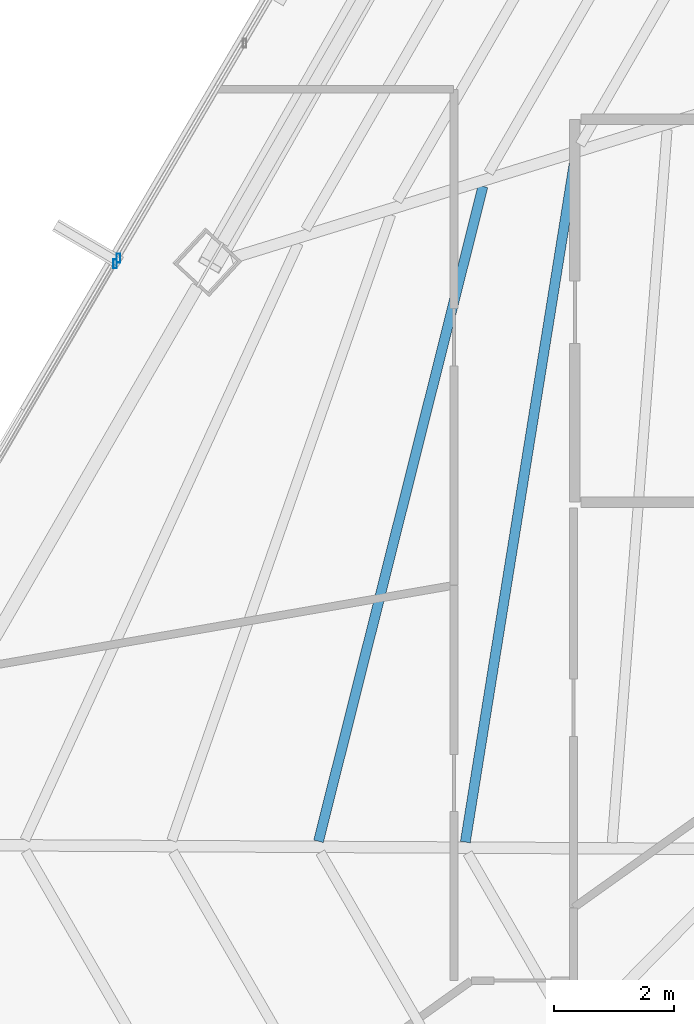
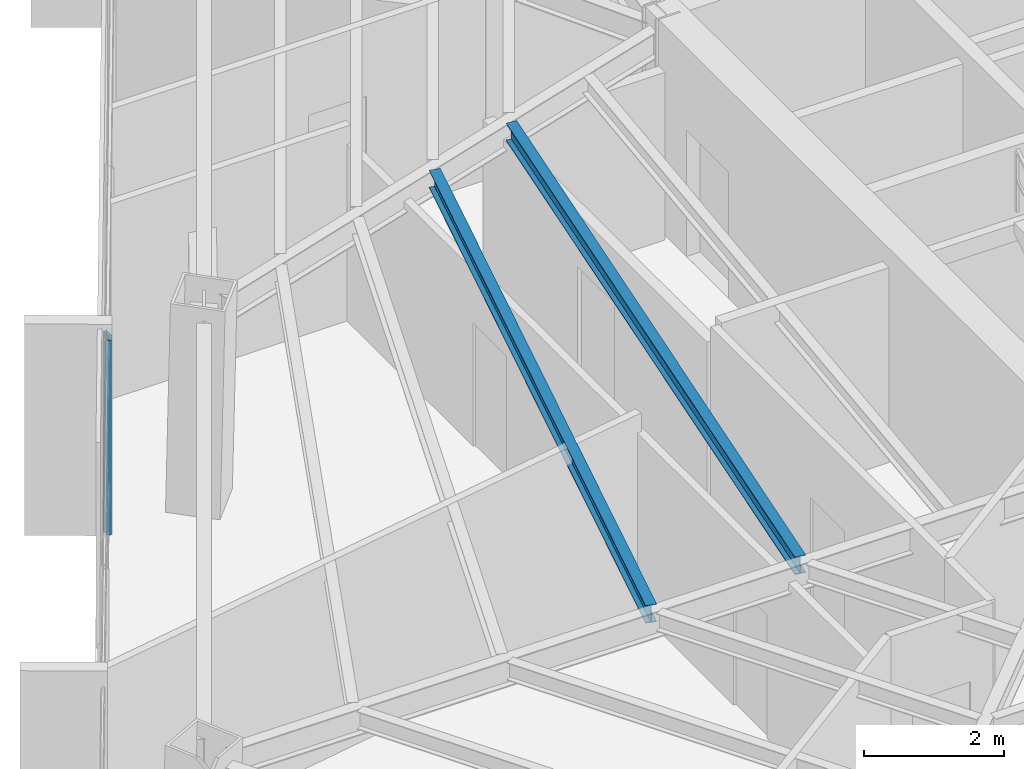
# One storey, part 14 of 42: 2 beams, 2 members, 2 elements without a shape of their own.
"""IFC4 building model written with IfcOpenShell, lengths in metres."""

from ifc_helpers import new_model, si_unit, direction, frame, origin, origin_2d, place, context, subcontext, project, spatial, hollow_rectangle, i_section, extrude, source, transform, mapped, material, material_profile, profile_set, type_object, type_shapes, element, aggregate, save


model = new_model("IFC4")

# Units and contexts
model_context = context("Model", 3, precision=1e-05, world=origin(), true_north=direction((0.0, 1.0)))
body_context = subcontext(model_context, "Body", "Model", "MODEL_VIEW")
ifc_project = project(units=[si_unit("LENGTHUNIT", "METRE"), si_unit("AREAUNIT", "SQUARE_METRE"), si_unit("VOLUMEUNIT", "CUBIC_METRE"), si_unit("PLANEANGLEUNIT", "RADIAN"), si_unit("MASSUNIT", "GRAM", prefix="KILO")], contexts=[model_context])

# Site, building, storey
site_placement = place(None, origin())
site = spatial("IfcSite", under=ifc_project, at=site_placement, CompositionType="ELEMENT")
building_placement = place(site_placement, origin())
building = spatial("IfcBuilding", under=site, at=building_placement, Name="Caelisora Broadcast Tower", CompositionType="ELEMENT")
storey_placement = place(building_placement, frame((0.0, 0.0, 184.050048828125)))
storey = spatial("IfcBuildingStorey", under=building, at=storey_placement, Name="L48", CompositionType="ELEMENT", Elevation=184.050048828125)

# Beams
ifc_material_1 = material(Name="Steel Grade 350 (AS/NZS 3679.1)", Category="steel")
ifc_material_profile_1 = material_profile(ifc_material_1, i_section(OverallWidth=0.166015625, OverallDepth=0.30712890625, WebThickness=0.006591796875, FlangeThickness=0.01171875, at=origin_2d()), Name="Steel Grade 350 (AS/NZS 3679.1)")
ifc_profile_set_1 = profile_set([ifc_material_profile_1], Name="Steel Grade 350 (AS/NZS 3679.1)")
beam_type = type_object("IfcBeamType", Name="SB03", PredefinedType="JOIST", material=ifc_profile_set_1)
shared_shape_1 = source(origin(), body_context, "Body", "SweptSolid", [
    extrude(i_section(OverallWidth=0.166015625, OverallDepth=0.30712890625, WebThickness=0.006591796875, FlangeThickness=0.01171875, at=origin_2d()), origin(), (0.0, 0.0, 1.0), 11.2880859375),
])
beam_1_placement = place(storey_placement, frame((25.8837890625, 28.478515625, 3.246337890625), z_axis=(-0.243466791036, -0.969909233724, 0.0), x_axis=(0.969909233724, -0.243466791036, 0.0)))
element("IfcBeam", 1, at=beam_1_placement, inside=storey, type_object=beam_type, Name="L48 beam SB03", PredefinedType="JOIST", context=body_context, shape_type="MappedRepresentation", body=[
    mapped(shared_shape_1, transform((0.0, 0.0, 0.0), scale=1.0)),
])
shared_shape_2 = source(origin(), body_context, "Body", "SweptSolid", [
    extrude(i_section(OverallWidth=0.166015625, OverallDepth=0.30712890625, WebThickness=0.006591796875, FlangeThickness=0.01171875, at=origin_2d()), origin(), (0.0, 0.0, 1.0), 11.58251953125),
])
type_shapes(beam_type, [shared_shape_1, shared_shape_2])
beam_2_placement = place(storey_placement, frame((27.423828125, 28.953857421875, 3.246337890625), z_axis=(-0.158362898928, -0.987380976241, 0.0), x_axis=(0.987380976241, -0.158362898928, 0.0)))
element("IfcBeam", 2, at=beam_2_placement, inside=storey, type_object=beam_type, Name="L48 beam SB03", PredefinedType="JOIST", context=body_context, shape_type="MappedRepresentation", body=[
    mapped(shared_shape_2, transform((0.0, 0.0, 0.0), scale=1.0)),
])

# Curtain wall, member
ifc_material_2 = material(Name="Unitised Aluminium and Low-E Glass Curtain Wall", Category="glass")
curtain_wall_type_1 = type_object("IfcCurtainWallType", Name="CW-Z4", PredefinedType="NOTDEFINED", material=ifc_material_2)
curtain_wall_1_placement = place(storey_placement, origin())
curtain_wall_1 = element("IfcCurtainWall", 3, at=curtain_wall_1_placement, inside=storey, type_object=curtain_wall_type_1, Name="L48 curtain wall CW-Z4", PredefinedType="NOTDEFINED")
ifc_material_3 = material(Name="Aluminium 6063-T6 Anodised Terracotta Bronze", Category="aluminium")
ifc_material_profile_2 = material_profile(ifc_material_3, hollow_rectangle(XDim=0.06005859375, YDim=0.14990234375, WallThickness=0.00341796875, at=origin_2d()), Name="Aluminium 6063-T6 Anodised Terracotta Bronze")
ifc_profile_set_2 = profile_set([ifc_material_profile_2], Name="Aluminium 6063-T6 Anodised Terracotta Bronze")
member_type = type_object("IfcMemberType", Name="CWM-03", PredefinedType="MULLION", material=ifc_profile_set_2)
shared_shape_3 = source(origin(), body_context, "Body", "SweptSolid", [
    extrude(hollow_rectangle(XDim=0.06005859375, YDim=0.14990234375, WallThickness=0.00341796875, at=origin_2d()), origin(), (0.0, 0.0, 1.0), 3.39990234375),
])
type_shapes(member_type, [shared_shape_3])
member_1_placement = place(storey_placement, frame((19.7353515625, 27.18359375, 0.0), z_axis=(0.0, 0.0, 1.0), x_axis=(1.0, 0.0, 0.0)))
member_1 = element("IfcMember", 4, at=member_1_placement, type_object=member_type, Name="L48-CW-B09 mullion #3", PredefinedType="MULLION", context=body_context, shape_type="MappedRepresentation", body=[
    mapped(shared_shape_3, transform((0.0, 0.0, 0.0), scale=1.0)),
])
aggregate(curtain_wall_1, [member_1])

ifc_material_4 = material(Name="Unitised Aluminium Insulated Shadow-Box Spandrel Curtain Wall", Category="aluminium")
curtain_wall_type_2 = type_object("IfcCurtainWallType", Name="CW-SP2", PredefinedType="NOTDEFINED", material=ifc_material_4)
curtain_wall_2_placement = place(storey_placement, origin())
curtain_wall_2 = element("IfcCurtainWall", 5, at=curtain_wall_2_placement, inside=storey, type_object=curtain_wall_type_2, Name="L48 curtain wall CW-SP2", PredefinedType="NOTDEFINED")
member_2_placement = place(storey_placement, frame((19.791015625, 27.2783203125, 0.0), z_axis=(0.0, 0.0, 1.0), x_axis=(1.0, 0.0, 0.0)))
member_2 = element("IfcMember", 6, at=member_2_placement, type_object=member_type, Name="L48-CW-B10 mullion #0", PredefinedType="MULLION", context=body_context, shape_type="MappedRepresentation", body=[
    mapped(shared_shape_3, transform((0.0, 0.0, 0.0), scale=1.0)),
])
aggregate(curtain_wall_2, [member_2])

save(model, "model.ifc")
